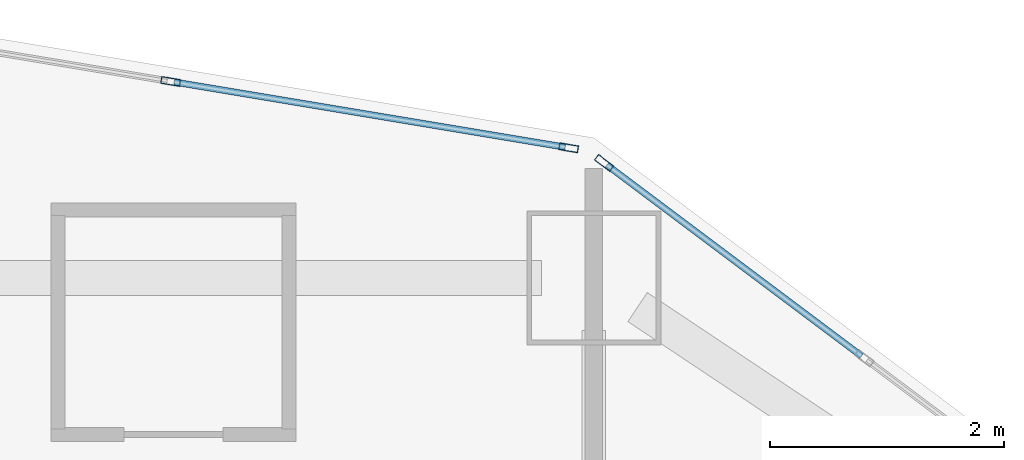
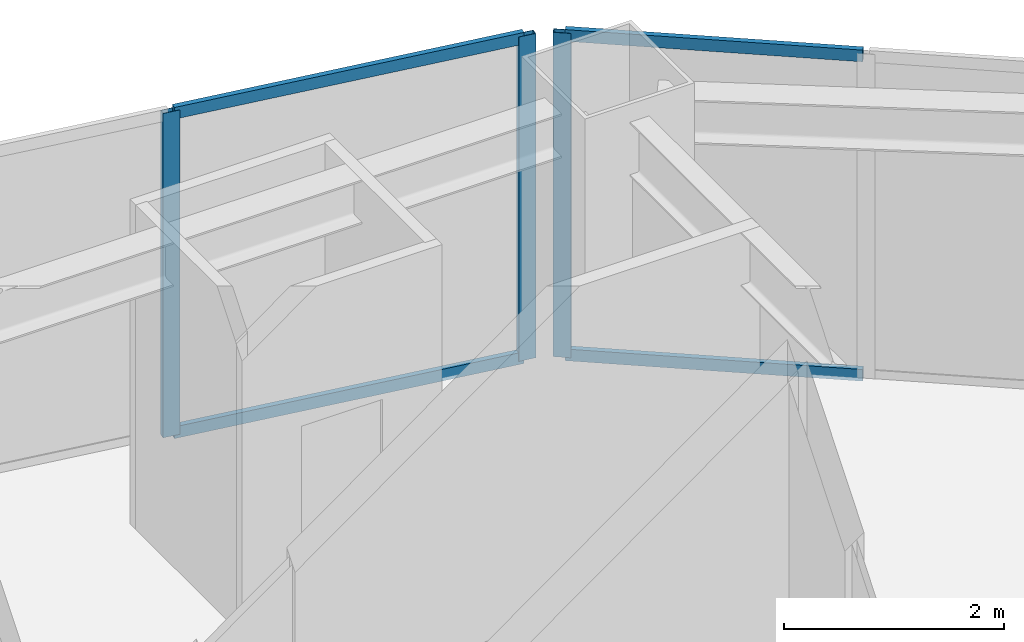
# One storey, part 4 of 16: 7 members, 2 elements without a shape of their own.
"""IFC4 building model written with IfcOpenShell, lengths in metres."""

from ifc_helpers import new_model, si_unit, direction, frame, origin, origin_2d, place, context, subcontext, project, spatial, hollow_rectangle, extrude, material, layer, layer_set, material_profile, profile_set, type_object, element, aggregate, save


model = new_model("IFC4")

# Units and contexts
model_context = context("Model", 3, precision=1e-05, world=origin(), true_north=direction((0.0, 1.0)))
body_context = subcontext(model_context, "Body", "Model", "MODEL_VIEW")
ifc_project = project(units=[si_unit("LENGTHUNIT", "METRE"), si_unit("AREAUNIT", "SQUARE_METRE"), si_unit("VOLUMEUNIT", "CUBIC_METRE"), si_unit("PLANEANGLEUNIT", "RADIAN"), si_unit("MASSUNIT", "GRAM", prefix="KILO")], contexts=[model_context])

# Site, building, storey
site_placement = place(None, origin())
site = spatial("IfcSite", under=ifc_project, at=site_placement, CompositionType="ELEMENT")
building_placement = place(site_placement, origin())
building = spatial("IfcBuilding", under=site, at=building_placement, Name="Haolan Belvedere Tower", CompositionType="ELEMENT")
storey_placement = place(building_placement, frame((0.0, 0.0, 74.199951171875)))
storey = spatial("IfcBuildingStorey", under=building, at=storey_placement, Name="L18", CompositionType="ELEMENT", Elevation=74.199951171875)

# Curtain wall, member
ifc_material_1 = material(Name="Anodised champagne-silver aluminium 6063-T6 and Low-E glass", Category="aluminium")
ifc_layer = layer(ifc_material_1, 0.1650390625, Name="Anodised champagne-silver aluminium 6063-T6 and Low-E glass")
ifc_layer_set = layer_set([ifc_layer], Name="Anodised champagne-silver aluminium 6063-T6 and Low-E glass")
curtain_wall_type = type_object("IfcCurtainWallType", Name="CW-SYS-02", PredefinedType="NOTDEFINED", material=ifc_layer_set)
curtain_wall_1_placement = place(storey_placement, origin())
curtain_wall_1 = element("IfcCurtainWall", 1, at=curtain_wall_1_placement, inside=storey, type_object=curtain_wall_type, Name="L18 CW-SYS-02 ribbon curtain wall 41.1", PredefinedType="NOTDEFINED")
ifc_material_2 = material(Name="Anodised aluminium 6063-T6", Category="aluminium")
ifc_material_profile_1 = material_profile(ifc_material_2, hollow_rectangle(XDim=0.06005859375, YDim=0.1650390625, WallThickness=0.00390625, at=origin_2d()), Name="Anodised aluminium 6063-T6")
ifc_profile_set_1 = profile_set([ifc_material_profile_1], Name="Anodised aluminium 6063-T6")
member_type_1 = type_object("IfcMemberType", Name="CW-SYS-02-MUL", PredefinedType="MULLION", material=ifc_profile_set_1)
member_1_placement = place(storey_placement, frame((45.6875, 51.384521484375, 0.0), z_axis=(0.0, 0.0, 1.0), x_axis=(-0.599994316874, -0.800004262313, 0.0)))
member_1 = element("IfcMember", 2, at=member_1_placement, type_object=member_type_1, Name="CW-02 mullion 3", PredefinedType="MULLION", context=body_context, shape_type="SweptSolid", body=[
    extrude(hollow_rectangle(XDim=0.06005859375, YDim=0.1650390625, WallThickness=0.00390625, at=origin_2d()), origin(), (0.0, 0.0, 1.0), 3.60009765625),
])

# Curtain wall, members
curtain_wall_2_placement = place(storey_placement, origin())
curtain_wall_2 = element("IfcCurtainWall", 3, at=curtain_wall_2_placement, inside=storey, type_object=curtain_wall_type, Name="L18 CW-SYS-02 ribbon curtain wall 42.1", PredefinedType="NOTDEFINED")
member_2_placement = place(storey_placement, frame((45.3837890625, 51.514404296875, 0.0), z_axis=(0.0, 0.0, 1.0), x_axis=(-0.16440364043, -0.9863931483, 0.0)))
member_2 = element("IfcMember", 4, at=member_2_placement, type_object=member_type_1, Name="CW-02 mullion 1", PredefinedType="MULLION", context=body_context, shape_type="SweptSolid", body=[
    extrude(hollow_rectangle(XDim=0.06005859375, YDim=0.1650390625, WallThickness=0.00390625, at=origin_2d()), origin(), (0.0, 0.0, 1.0), 3.60009765625),
])
member_3_placement = place(storey_placement, frame((41.9755859375, 52.082275390625, 0.0), z_axis=(0.0, 0.0, 1.0), x_axis=(-0.16440364043, -0.9863931483, 0.0)))
member_3 = element("IfcMember", 5, at=member_3_placement, type_object=member_type_1, Name="CW-02 mullion 2", PredefinedType="MULLION", context=body_context, shape_type="SweptSolid", body=[
    extrude(hollow_rectangle(XDim=0.06005859375, YDim=0.1650390625, WallThickness=0.00390625, at=origin_2d()), origin(), (0.0, 0.0, 1.0), 3.60009765625),
])

# Member
ifc_material_profile_2 = material_profile(ifc_material_2, hollow_rectangle(XDim=0.054931640625, YDim=0.1298828125, WallThickness=0.00390625, at=origin_2d()), Name="Anodised aluminium 6063-T6")
ifc_profile_set_2 = profile_set([ifc_material_profile_2], Name="Anodised aluminium 6063-T6")
member_type_2 = type_object("IfcMemberType", Name="CW-SYS-02-TRN", PredefinedType="USERDEFINED", material=ifc_profile_set_2)
member_4_placement = place(storey_placement, frame((47.8916015625, 49.731201171875, 0.027587890625), z_axis=(-0.799978499504, 0.600028666258, 0.0), x_axis=(-0.600028666258, -0.799978499504, 0.0)))
member_4 = element("IfcMember", 6, at=member_4_placement, type_object=member_type_2, Name="CW-02 transom 2.1", ObjectType="TRANSOM", PredefinedType="USERDEFINED", context=body_context, shape_type="SweptSolid", body=[
    extrude(hollow_rectangle(XDim=0.054931640625, YDim=0.1298828125, WallThickness=0.00390625, at=origin_2d()), origin(), (0.0, 0.0, 1.0), 2.725341796875),
])

member_5_placement = place(storey_placement, frame((47.8916015625, 49.731201171875, 3.572509765625), z_axis=(-0.799978499504, 0.600028666258, 0.0), x_axis=(-0.600028666258, -0.799978499504, 0.0)))
member_5 = element("IfcMember", 7, at=member_5_placement, type_object=member_type_2, Name="CW-02 transom 2.2", ObjectType="TRANSOM", PredefinedType="USERDEFINED", context=body_context, shape_type="SweptSolid", body=[
    extrude(hollow_rectangle(XDim=0.054931640625, YDim=0.1298828125, WallThickness=0.00390625, at=origin_2d()), origin(), (0.0, 0.0, 1.0), 2.725341796875),
])

aggregate(curtain_wall_1, [member_1, member_4, member_5])

member_6_placement = place(storey_placement, frame((45.35400390625, 51.519287109375, 0.027587890625), z_axis=(-0.986393923832, 0.164398987305, 0.0), x_axis=(-0.164398987305, -0.986393923832, 0.0)))
member_6 = element("IfcMember", 8, at=member_6_placement, type_object=member_type_2, Name="CW-02 transom 1.1", ObjectType="TRANSOM", PredefinedType="USERDEFINED", context=body_context, shape_type="SweptSolid", body=[
    extrude(hollow_rectangle(XDim=0.054931640625, YDim=0.1298828125, WallThickness=0.00390625, at=origin_2d()), origin(), (0.0, 0.0, 1.0), 3.394775390625),
])

member_7_placement = place(storey_placement, frame((45.35400390625, 51.519287109375, 3.572509765625), z_axis=(-0.986393923832, 0.164398987305, 0.0), x_axis=(-0.164398987305, -0.986393923832, 0.0)))
member_7 = element("IfcMember", 9, at=member_7_placement, type_object=member_type_2, Name="CW-02 transom 1.2", ObjectType="TRANSOM", PredefinedType="USERDEFINED", context=body_context, shape_type="SweptSolid", body=[
    extrude(hollow_rectangle(XDim=0.054931640625, YDim=0.1298828125, WallThickness=0.00390625, at=origin_2d()), origin(), (0.0, 0.0, 1.0), 3.394775390625),
])

aggregate(curtain_wall_2, [member_2, member_3, member_6, member_7])

save(model, "model.ifc")
